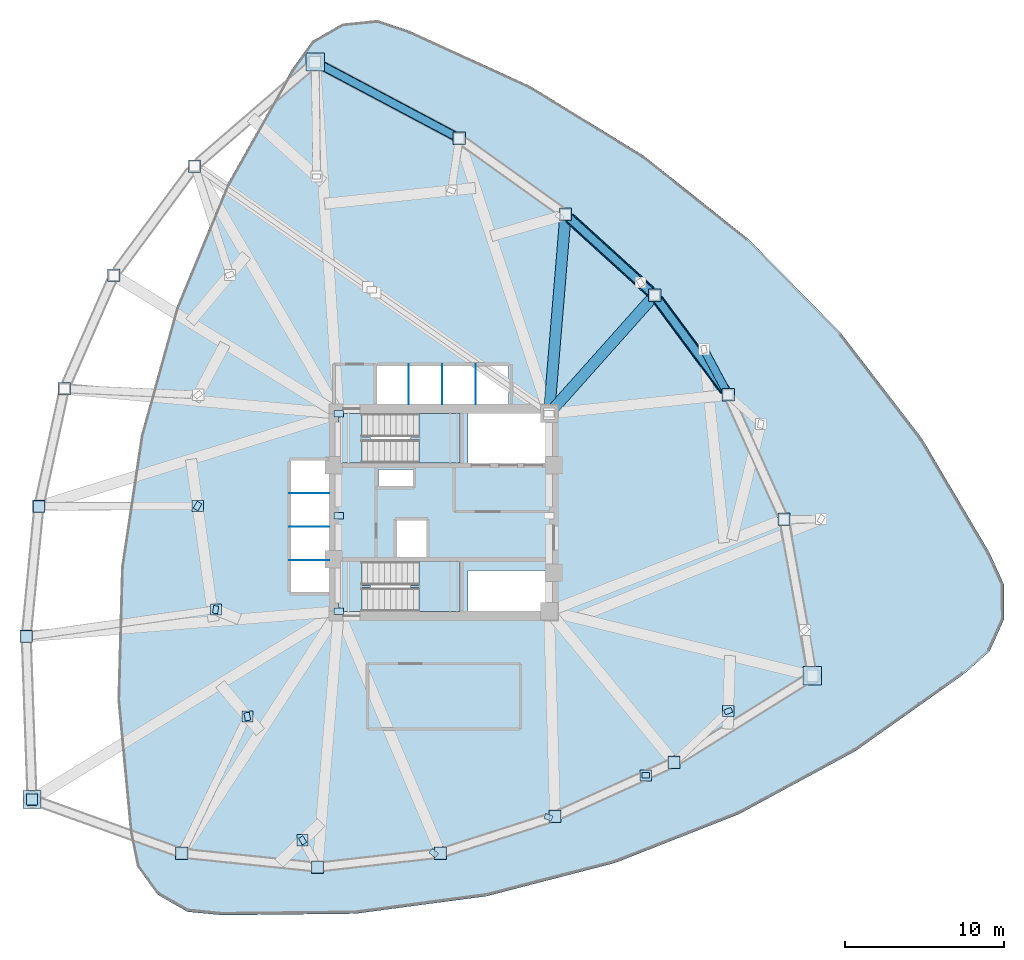
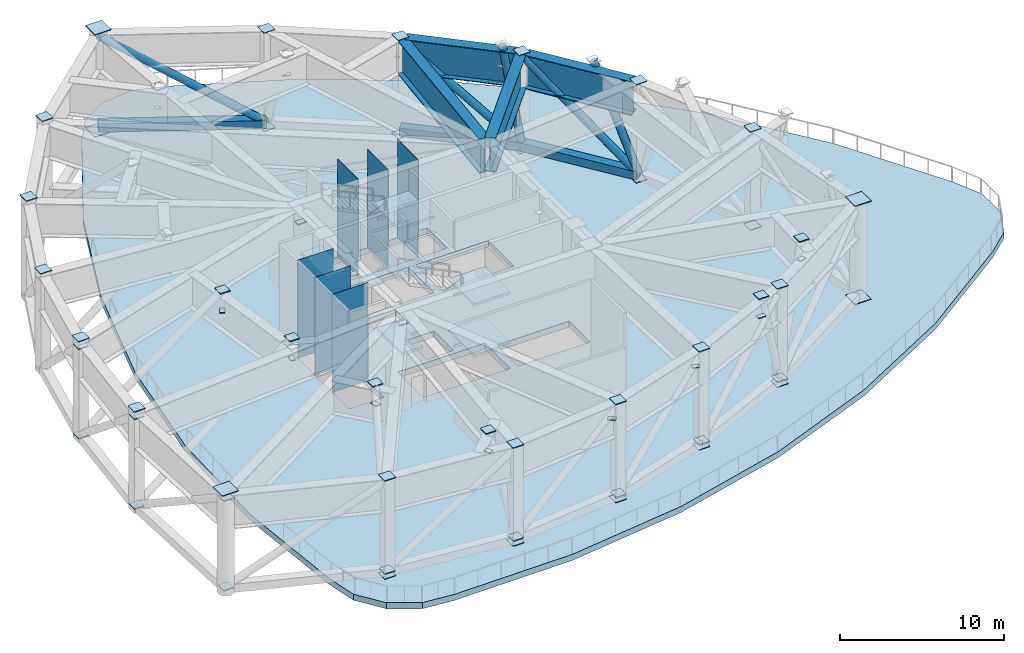
# One storey, part 3 of 8: 64 plates, 8 members, 7 slabs, 4 beams, 2 elements without a shape of their own.
"""IFC4 building model written with IfcOpenShell, lengths in metres."""

from ifc_helpers import new_model, si_unit, direction, frame, origin, origin_2d, place, context, subcontext, project, spatial, polyline, rectangle, hollow_rectangle, hollow_circle, i_section, outline, extrude, source, transform, mapped, material, layer, layer_set, material_profile, profile_set, type_object, type_shapes, element, aggregate, save


model = new_model("IFC4")

# Units and contexts
model_context = context("Model", 3, precision=1e-05, world=origin(), true_north=direction((0.0, 1.0)))
body_context = subcontext(model_context, "Body", "Model", "MODEL_VIEW")
ifc_project = project(units=[si_unit("LENGTHUNIT", "METRE"), si_unit("AREAUNIT", "SQUARE_METRE"), si_unit("VOLUMEUNIT", "CUBIC_METRE"), si_unit("PLANEANGLEUNIT", "RADIAN"), si_unit("MASSUNIT", "GRAM", prefix="KILO")], contexts=[model_context])

# Site, building, storey
site_placement = place(None, origin())
site = spatial("IfcSite", under=ifc_project, at=site_placement, CompositionType="ELEMENT")
building_placement = place(site_placement, origin())
building = spatial("IfcBuilding", under=site, at=building_placement, Name="Tavelor Broadcast Tower", CompositionType="ELEMENT")
storey_placement = place(building_placement, frame((0.0, 0.0, 102.800048828125)))
storey = spatial("IfcBuildingStorey", under=building, at=storey_placement, Name="L24", CompositionType="ELEMENT", Elevation=102.800048828125)

# Beams
ifc_material_1 = material(Name="Steel S460", Category="steel")
ifc_material_profile_1 = material_profile(ifc_material_1, i_section(OverallWidth=0.699951171875, OverallDepth=2.5, WebThickness=0.031982421875, FlangeThickness=0.052001953125, at=origin_2d()), Name="PG 2500x700")
ifc_profile_set_1 = profile_set([ifc_material_profile_1], Name="Steel S460")
beam_type = type_object("IfcBeamType", Name="Opposite Slide Transfer Girder HEB900", PredefinedType="BEAM", material=ifc_profile_set_1)
beam_1_placement = place(storey_placement, frame((67.640869140625, 52.652587890625, 6.050048828125), z_axis=(-0.594676591659, 0.803965018724, 0.0), x_axis=(-0.803965018724, -0.594676591659, 0.0)))
element("IfcBeam", 1, at=beam_1_placement, inside=storey, type_object=beam_type, Name="L24 Framed-Tube Ring Spandrel 15", PredefinedType="BEAM", context=body_context, shape_type="SweptSolid", body=[
    extrude(i_section(OverallWidth=0.699951171875, OverallDepth=2.5, WebThickness=0.031982421875, FlangeThickness=0.052001953125, at=origin_2d()), origin(), (0.0, 0.0, 1.0), 7.09130859375),
])
beam_2_placement = place(storey_placement, frame((62.975341796875, 58.849609375, 6.050048828125), z_axis=(-0.740416987409, 0.672147814663, 0.0), x_axis=(-0.672147814663, -0.740416987409, 0.0)))
element("IfcBeam", 2, at=beam_2_placement, inside=storey, type_object=beam_type, Name="L24 Framed-Tube Ring Spandrel 16", PredefinedType="BEAM", context=body_context, shape_type="SweptSolid", body=[
    extrude(i_section(OverallWidth=0.699951171875, OverallDepth=2.5, WebThickness=0.031982421875, FlangeThickness=0.052001953125, at=origin_2d()), origin(), (0.0, 0.0, 1.0), 6.876953125),
])
beam_3_placement = place(storey_placement, frame((56.951416015625, 51.593994140625, 6.050048828125), z_axis=(0.665778646807, 0.74614931043, 0.0), x_axis=(-0.74614931043, 0.665778646807, 0.0)))
element("IfcBeam", 3, at=beam_3_placement, inside=storey, type_object=beam_type, Name="L24 Radial Primary Floor Girder 16", PredefinedType="BEAM", context=body_context, shape_type="SweptSolid", body=[
    extrude(i_section(OverallWidth=0.699951171875, OverallDepth=2.5, WebThickness=0.031982421875, FlangeThickness=0.052001953125, at=origin_2d()), origin(), (0.0, 0.0, 1.0), 9.085693359375),
])
beam_4_placement = place(storey_placement, frame((56.6435546875, 51.726318359375, 6.050048828125), z_axis=(0.082528077466, 0.996588739867, 0.0), x_axis=(-0.996588739867, 0.082528077466, 0.0)))
element("IfcBeam", 4, at=beam_4_placement, inside=storey, type_object=beam_type, Name="L24 Radial Primary Floor Girder 17", PredefinedType="BEAM", context=body_context, shape_type="SweptSolid", body=[
    extrude(i_section(OverallWidth=0.699951171875, OverallDepth=2.5, WebThickness=0.031982421875, FlangeThickness=0.052001953125, at=origin_2d()), origin(), (0.0, 0.0, 1.0), 11.67626953125),
])

# Members
ifc_material_profile_2 = material_profile(ifc_material_1, hollow_rectangle(XDim=0.60009765625, YDim=0.60009765625, WallThickness=0.035888671875, at=origin_2d()), Name="SHS 600x600x36")
ifc_profile_set_2 = profile_set([ifc_material_profile_2], Name="Steel S460")
member_type_1 = type_object("IfcMemberType", Name="Wind Floor Belt Truss Chord Member SHS600", PredefinedType="CHORD", material=ifc_profile_set_2)
member_1_placement = place(storey_placement, frame((67.8408203125, 52.382568359375, 0.349853515625), z_axis=(-0.594693433306, 0.803952561028, 0.0), x_axis=(-0.803952561028, -0.594693433306, 0.0)))
element("IfcMember", 5, at=member_1_placement, inside=storey, type_object=member_type_1, Name="L24 Belt Truss Lower Chord Member 15", PredefinedType="CHORD", context=body_context, shape_type="SweptSolid", body=[
    extrude(hollow_rectangle(XDim=0.60009765625, YDim=0.60009765625, WallThickness=0.035888671875, at=origin_2d()), origin(), (0.0, 0.0, 1.0), 7.76318359375),
])
member_2_placement = place(storey_placement, frame((63.22412109375, 58.623779296875, 0.349853515625), z_axis=(-0.740418418196, 0.67214623855, 0.0), x_axis=(-0.67214623855, -0.740418418196, 0.0)))
element("IfcMember", 6, at=member_2_placement, inside=storey, type_object=member_type_1, Name="L24 Belt Truss Lower Chord Member 16", PredefinedType="CHORD", context=body_context, shape_type="SweptSolid", body=[
    extrude(hollow_rectangle(XDim=0.60009765625, YDim=0.60009765625, WallThickness=0.035888671875, at=origin_2d()), origin(), (0.0, 0.0, 1.0), 7.548828125),
])
member_3_placement = place(storey_placement, frame((50.9619140625, 68.468505859375, 0.349853515625), z_axis=(-0.883278453716, 0.468848774341, 0.0), x_axis=(-0.468848774341, -0.883278453716, 0.0)))
element("IfcMember", 7, at=member_3_placement, inside=storey, type_object=member_type_1, Name="L24 Belt Truss Lower Chord Member 18", PredefinedType="CHORD", context=body_context, shape_type="SweptSolid", body=[
    extrude(hollow_rectangle(XDim=0.60009765625, YDim=0.60009765625, WallThickness=0.035888671875, at=origin_2d()), origin(), (0.0, 0.0, 1.0), 10.233154296875),
])
ifc_material_profile_3 = material_profile(ifc_material_1, hollow_circle(Radius=0.25390625, WallThickness=0.02490234375, at=origin_2d()), Name="CHS 508x25")
ifc_profile_set_3 = profile_set([ifc_material_profile_3], Name="Steel S460")
member_type_2 = type_object("IfcMemberType", Name="Wind Floor Belt Truss Diagonal CHS508", PredefinedType="BRACE", material=ifc_profile_set_3)
member_4_placement = place(storey_placement, frame((67.8408203125, 52.382568359375, 0.349853515625), z_axis=(-0.451639569274, 0.610561287621, 0.65056637903), x_axis=(-0.803952561028, -0.594693433306, 0.0)))
element("IfcMember", 8, at=member_4_placement, inside=storey, type_object=member_type_2, Name="L24 Belt Truss Web Diagonal 15", PredefinedType="BRACE", context=body_context, shape_type="SweptSolid", body=[
    extrude(hollow_circle(Radius=0.25390625, WallThickness=0.02490234375, at=origin_2d()), origin(), (0.0, 0.0, 1.0), 10.22216796875),
])
member_5_placement = place(storey_placement, frame((63.22412109375, 58.623779296875, 0.349853515625), z_axis=(-0.555582828076, 0.504353888176, 0.66102562479), x_axis=(-0.67214623855, -0.740418418196, 0.0)))
element("IfcMember", 9, at=member_5_placement, inside=storey, type_object=member_type_2, Name="L24 Belt Truss Web Diagonal 16", PredefinedType="BRACE", context=body_context, shape_type="SweptSolid", body=[
    extrude(hollow_circle(Radius=0.25390625, WallThickness=0.02490234375, at=origin_2d()), origin(), (0.0, 0.0, 1.0), 10.060302734375),
])
member_6_placement = place(storey_placement, frame((50.9619140625, 68.468505859375, 0.349853515625), z_axis=(-0.740627881744, 0.393129112499, 0.544903515945), x_axis=(-0.468848774341, -0.883278453716, 0.0)))
element("IfcMember", 10, at=member_6_placement, inside=storey, type_object=member_type_2, Name="L24 Belt Truss Web Diagonal 18", PredefinedType="BRACE", context=body_context, shape_type="SweptSolid", body=[
    extrude(hollow_circle(Radius=0.25390625, WallThickness=0.02490234375, at=origin_2d()), origin(), (0.0, 0.0, 1.0), 12.204345703125),
])
member_7_placement = place(storey_placement, frame((67.8408203125, 52.382568359375, 0.349853515625), z_axis=(-0.191396157991, 0.35867166209, 0.913631298457), x_axis=(-0.882246079881, -0.470788545457, 0.0)))
element("IfcMember", 11, at=member_7_placement, inside=storey, type_object=member_type_2, Name="L24 Slide Transfer Raking Strut 15", PredefinedType="BRACE", context=body_context, shape_type="SweptSolid", body=[
    extrude(hollow_circle(Radius=0.25390625, WallThickness=0.02490234375, at=origin_2d()), origin(), (0.0, 0.0, 1.0), 7.935302734375),
])
member_8_placement = place(storey_placement, frame((63.22412109375, 58.623779296875, 0.349853515625), z_axis=(-0.12157708159, 0.107854388314, 0.986704841456), x_axis=(-0.66362751577, -0.74806317936, 0.0)))
element("IfcMember", 12, at=member_8_placement, inside=storey, type_object=member_type_2, Name="L24 Slide Transfer Raking Strut 16", PredefinedType="BRACE", context=body_context, shape_type="SweptSolid", body=[
    extrude(hollow_circle(Radius=0.25390625, WallThickness=0.02490234375, at=origin_2d()), origin(), (0.0, 0.0, 1.0), 7.34765625),
])

# Stair, slabs
ifc_material_2 = material(Name="Concrete C40/50", Category="concrete")
stair_type = type_object("IfcStairType", Name="Reinforced Concrete Protected Dogleg Stair 1450 mm", PredefinedType="HALF_TURN_STAIR", material=ifc_material_2)
stair_1_placement = place(storey_placement, origin())
stair_1 = element("IfcStair", 13, at=stair_1_placement, inside=storey, type_object=stair_type, Name="L24 Protected Core Exit Stair ST1", PredefinedType="HALF_TURN_STAIR")
ifc_layer_1 = layer(ifc_material_2, 0.199951171875)
ifc_layer_set_1 = layer_set([ifc_layer_1], Name="Concrete C40/50")
slab_type_1 = type_object("IfcSlabType", Name="Reinforced Concrete Stair Half-Landing Slab 200 mm", PredefinedType="LANDING", material=ifc_layer_set_1)
slab_1_placement = place(storey_placement, frame((0.0, 0.0, 1.699951171875)))
slab_1 = element("IfcSlab", 14, at=slab_1_placement, type_object=slab_type_1, Name="ST1 landing 1", PredefinedType="LANDING", context=body_context, shape_type="SweptSolid", body=[
    extrude(outline(polyline([(48.445068359375, 49.590087890625), (48.445068359375, 48.094970703125), (51.0048828125, 48.094970703125), (51.0048828125, 51.205078125), (48.445068359375, 51.205078125), (48.445068359375, 49.7099609375), (47.905029296875, 49.7099609375), (47.905029296875, 49.590087890625), (48.445068359375, 49.590087890625)])), origin(), (0.0, 0.0, 1.0), 0.199951171875),
])
slab_2_placement = place(storey_placement, frame((0.0, 0.0, 3.599853515625)))
slab_2 = element("IfcSlab", 15, at=slab_2_placement, type_object=slab_type_1, Name="ST1 landing 2", PredefinedType="LANDING", context=body_context, shape_type="SweptSolid", body=[
    extrude(outline(polyline([(43.39501953125, 48.094970703125), (44.85498046875, 48.094970703125), (44.85498046875, 49.590087890625), (45.39501953125, 49.590087890625), (45.39501953125, 49.7099609375), (44.85498046875, 49.7099609375), (44.85498046875, 51.205078125), (43.39501953125, 51.205078125), (43.39501953125, 48.094970703125)])), origin(), (0.0, 0.0, 1.0), 0.2001953125),
])
slab_3_placement = place(storey_placement, frame((0.0, 0.0, 5.5)))
slab_3 = element("IfcSlab", 16, at=slab_3_placement, type_object=slab_type_1, Name="ST1 landing 3", PredefinedType="LANDING", context=body_context, shape_type="SweptSolid", body=[
    extrude(outline(polyline([(48.445068359375, 49.590087890625), (48.445068359375, 48.094970703125), (51.0048828125, 48.094970703125), (51.0048828125, 51.205078125), (48.445068359375, 51.205078125), (48.445068359375, 49.7099609375), (47.905029296875, 49.7099609375), (47.905029296875, 49.590087890625), (48.445068359375, 49.590087890625)])), origin(), (0.0, 0.0, 1.0), 0.199951171875),
])
aggregate(stair_1, [slab_1, slab_2, slab_3])

stair_2_placement = place(storey_placement, origin())
stair_2 = element("IfcStair", 17, at=stair_2_placement, inside=storey, type_object=stair_type, Name="L24 Protected Core Exit Stair ST2", PredefinedType="HALF_TURN_STAIR")
slab_4_placement = place(storey_placement, frame((0.0, 0.0, 1.699951171875)))
slab_4 = element("IfcSlab", 18, at=slab_4_placement, type_object=slab_type_1, Name="ST2 landing 1", PredefinedType="LANDING", context=body_context, shape_type="SweptSolid", body=[
    extrude(outline(polyline([(48.445068359375, 40.2900390625), (48.445068359375, 38.794921875), (51.0048828125, 38.794921875), (51.0048828125, 41.905029296875), (48.445068359375, 41.905029296875), (48.445068359375, 40.409912109375), (47.905029296875, 40.409912109375), (47.905029296875, 40.2900390625), (48.445068359375, 40.2900390625)])), origin(), (0.0, 0.0, 1.0), 0.199951171875),
])
slab_5_placement = place(storey_placement, frame((0.0, 0.0, 3.599853515625)))
slab_5 = element("IfcSlab", 19, at=slab_5_placement, type_object=slab_type_1, Name="ST2 landing 2", PredefinedType="LANDING", context=body_context, shape_type="SweptSolid", body=[
    extrude(outline(polyline([(43.39501953125, 38.794921875), (44.85498046875, 38.794921875), (44.85498046875, 40.2900390625), (45.39501953125, 40.2900390625), (45.39501953125, 40.409912109375), (44.85498046875, 40.409912109375), (44.85498046875, 41.905029296875), (43.39501953125, 41.905029296875), (43.39501953125, 38.794921875)])), origin(), (0.0, 0.0, 1.0), 0.2001953125),
])
slab_6_placement = place(storey_placement, frame((0.0, 0.0, 5.5)))
slab_6 = element("IfcSlab", 20, at=slab_6_placement, type_object=slab_type_1, Name="ST2 landing 3", PredefinedType="LANDING", context=body_context, shape_type="SweptSolid", body=[
    extrude(outline(polyline([(48.445068359375, 40.2900390625), (48.445068359375, 38.794921875), (51.0048828125, 38.794921875), (51.0048828125, 41.905029296875), (48.445068359375, 41.905029296875), (48.445068359375, 40.409912109375), (47.905029296875, 40.409912109375), (47.905029296875, 40.2900390625), (48.445068359375, 40.2900390625)])), origin(), (0.0, 0.0, 1.0), 0.199951171875),
])
aggregate(stair_2, [slab_4, slab_5, slab_6])

# Slab
ifc_layer_2 = layer(ifc_material_2, 0.449951171875)
ifc_layer_set_2 = layer_set([ifc_layer_2], Name="Concrete C40/50")
slab_type_2 = type_object("IfcSlabType", Name="Wind Floor Exterior Structural Deck 450 mm", PredefinedType="FLOOR", material=ifc_layer_set_2)
slab_7_placement = place(storey_placement, frame((0.0, 0.0, -0.449951171875)))
element("IfcSlab", 21, at=slab_7_placement, inside=storey, type_object=slab_type_2, Name="L24 Open Wind Deck Slab", PredefinedType="FLOOR", context=body_context, shape_type="SweptSolid", body=[
    extrude(outline(polyline([(47.88623046875, 75.205078125), (45.810302734375, 75.897705078125), (43.63330078125, 75.674560546875), (41.74072265625, 74.575439453125), (40.468505859375, 72.794921875), (36.382080078125, 65.535888671875), (33.204345703125, 57.835693359375), (30.981689453125, 49.8076171875), (29.746826171875, 41.569580078125), (29.51806640625, 33.24267578125), (30.298583984375, 24.94921875), (30.73681640625, 22.80517578125), (32.018310546875, 21.03125), (33.91650390625, 19.94189453125), (36.0947265625, 19.730224609375), (44.42431640625, 19.82080078125), (52.681884765625, 20.9189453125), (60.74560546875, 23.008056640625), (68.497314453125, 26.0576171875), (75.822998046875, 30.02294921875), (82.615234375, 34.845703125), (84.2529296875, 36.297119140625), (85.1484375, 38.294189453125), (85.142578125, 40.482666015625), (84.23681640625, 42.474853515625), (79.993408203125, 49.643310546875), (74.913818359375, 56.245361328125), (69.07275390625, 62.18408203125), (62.555908203125, 67.37255859375), (55.458984375, 71.734375), (47.88623046875, 75.205078125)]), holes=[polyline([(56.60009765625, 38.800048828125), (51.52001953125, 38.800048828125), (51.52001953125, 41.35009765625), (56.60009765625, 41.35009765625), (56.60009765625, 38.800048828125)]), polyline([(50.99609375, 38.803955078125), (44.85400390625, 38.803955078125), (44.85400390625, 41.89599609375), (50.99609375, 41.89599609375), (50.99609375, 38.803955078125)]), polyline([(47.050048828125, 42.199951171875), (47.050048828125, 44.550048828125), (48.949951171875, 44.550048828125), (48.949951171875, 42.199951171875), (47.050048828125, 42.199951171875)]), polyline([(40.35009765625, 40.0), (40.35009765625, 48.25), (42.800048828125, 48.25), (42.800048828125, 40.0), (40.35009765625, 40.0)]), polyline([(48.050048828125, 46.64990234375), (45.89990234375, 46.64990234375), (45.89990234375, 47.699951171875), (48.050048828125, 47.699951171875), (48.050048828125, 46.64990234375)]), polyline([(50.99609375, 48.10400390625), (44.85400390625, 48.10400390625), (44.85400390625, 51.196044921875), (50.99609375, 51.196044921875), (50.99609375, 48.10400390625)]), polyline([(56.60009765625, 48.10009765625), (51.52001953125, 48.10009765625), (51.52001953125, 51.199951171875), (56.60009765625, 51.199951171875), (56.60009765625, 48.10009765625)]), polyline([(54.050048828125, 51.800048828125), (45.800048828125, 51.800048828125), (45.800048828125, 54.25), (54.050048828125, 54.25), (54.050048828125, 51.800048828125)])]), origin(), (0.0, 0.0, 1.0), 0.449951171875),
])

# Plates
ifc_layer_3 = layer(ifc_material_1, 0.050048828125)
ifc_layer_set_3 = layer_set([ifc_layer_3], Name="Steel S460")
plate_type_1 = type_object("IfcPlateType", Name="Tube Hollow-End Cap Plate KN05 700x700x50", PredefinedType="USERDEFINED", material=ifc_layer_set_3)
shared_shape_1 = source(origin(), body_context, "Body", "SweptSolid", [
    extrude(rectangle(XDim=0.699951171875, YDim=0.699951171875, at=origin_2d()), origin(), (0.0, 0.0, 1.0), 0.074951171875),
])
for number, where, z_axis, x_axis, name in (
    (22, (24.586669921875, 45.365966796875, 0.3125), (0.0, 0.0, 1.0), (1.0, 0.0, 0.0), "L24 Hollow End Cap Plate KN05 #711"),
    (23, (24.58740234375, 45.36962890625, 6.97216796875), (0.0, 0.0, 1.0), (1.0, 0.0, 0.0), "L24 Hollow End Cap Plate KN05 #712"),
    (24, (23.793212890625, 37.201416015625, 0.3125), (0.0, 0.0, 1.0), (1.0, 0.0, 0.0), "L24 Hollow End Cap Plate KN05 #713"),
    (25, (23.793701171875, 37.204833984375, 6.9716796875), (0.0, 0.0, 1.0), (1.0, 0.0, 0.0), "L24 Hollow End Cap Plate KN05 #714"),
    (26, (24.15966796875, 26.974609375, 0.3125), (0.0, 0.0, 1.0), (1.0, 0.0, 0.0), "L24 Hollow End Cap Plate KN05 #715"),
    (27, (24.159423828125, 26.97705078125, 6.970703125), (0.0, 0.0, 1.0), (1.0, 0.0, 0.0), "L24 Hollow End Cap Plate KN05 #716"),
    (28, (33.56494140625, 23.6103515625, 0.3125), (0.0, 0.0, 1.0), (1.0, 0.0, 0.0), "L24 Hollow End Cap Plate KN05 #717"),
    (29, (42.088134765625, 22.739013671875, 0.3125), (0.0, 0.0, 1.0), (1.0, 0.0, 0.0), "L24 Hollow End Cap Plate KN05 #718"),
    (30, (49.801513671875, 23.61962890625, 0.3125), (0.0, 0.0, 1.0), (1.0, 0.0, 0.0), "L24 Hollow End Cap Plate KN05 #719"),
    (31, (56.98974609375, 25.926025390625, 0.3125), (0.0, 0.0, 1.0), (1.0, 0.0, 0.0), "L24 Hollow End Cap Plate KN05 #720"),
    (32, (64.457275390625, 29.3212890625, 0.3125), (0.0, 0.0, 1.0), (1.0, 0.0, 0.0), "L24 Hollow End Cap Plate KN05 #721"),
    (33, (34.55859375, 45.399169921875, 7.5712890625), (0.0, 0.0, 1.0), (1.0, 0.0, 0.0), "L24 Hollow End Cap Plate KN05 #732"),
    (34, (35.693603515625, 38.901611328125, 7.5703125), (0.0, 0.0, 1.0), (1.0, 0.0, 0.0), "L24 Hollow End Cap Plate KN05 #733"),
    (35, (37.67333984375, 32.201171875, 7.57177734375), (0.0, 0.0, 1.0), (1.0, 0.0, 0.0), "L24 Hollow End Cap Plate KN05 #734"),
    (36, (41.13671875, 24.42724609375, 7.5771484375), (0.0, 0.0, 1.0), (1.0, 0.0, 0.0), "L24 Hollow End Cap Plate KN05 #735"),
    (37, (62.665771484375, 28.501708984375, 7.5771484375), (0.0, 0.0, 1.0), (1.0, 0.0, 0.0), "L24 Hollow End Cap Plate KN05 #736"),
    (38, (67.84814453125, 32.537353515625, 7.5751953125), (0.0, 0.0, 1.0), (1.0, 0.0, 0.0), "L24 Hollow End Cap Plate KN05 #737"),
):
    element("IfcPlate", number, at=place(storey_placement, frame(where, z_axis=z_axis, x_axis=x_axis)), inside=storey, type_object=plate_type_1, Name=name, ObjectType="CAP PLATE", PredefinedType="USERDEFINED", context=body_context, shape_type="MappedRepresentation", body=[
        mapped(shared_shape_1, transform((0.0, 0.0, 0.0), scale=1.0)),
    ])
shared_shape_2 = source(origin(), body_context, "Body", "SweptSolid", [
    extrude(rectangle(XDim=1.14697265625, YDim=1.14697265625, at=origin_2d()), origin(), (0.0, 0.0, 1.0), 0.054931640625),
])
for number, where, z_axis, x_axis, name in (
    (39, (41.923095703125, 73.266357421875, -0.02734375), (0.0, 0.0, 1.0), (1.0, 0.0, 0.0), "L24 Hollow End Cap Plate KN05 #670"),
    (40, (41.923095703125, 73.266357421875, 7.572265625), (0.0, 0.0, 1.0), (1.0, 0.0, 0.0), "L24 Hollow End Cap Plate KN05 #671"),
    (41, (24.1591796875, 26.98974609375, 7.572265625), (0.0, 0.0, 1.0), (1.0, 0.0, 0.0), "L24 Hollow End Cap Plate KN05 #677"),
    (42, (73.117919921875, 34.743896484375, -0.02734375), (0.0, 0.0, 1.0), (1.0, 0.0, 0.0), "L24 Hollow End Cap Plate KN05 #688"),
    (43, (73.117919921875, 34.743896484375, 7.2724609375), (0.0, 0.0, 1.0), (1.0, 0.0, 0.0), "L24 Hollow End Cap Plate KN05 #689"),
):
    element("IfcPlate", number, at=place(storey_placement, frame(where, z_axis=z_axis, x_axis=x_axis)), inside=storey, type_object=plate_type_1, Name=name, ObjectType="CAP PLATE", PredefinedType="USERDEFINED", context=body_context, shape_type="MappedRepresentation", body=[
        mapped(shared_shape_2, transform((0.0, 0.0, 0.0), scale=1.0)),
    ])
shared_shape_3 = source(origin(), body_context, "Body", "SweptSolid", [
    extrude(rectangle(XDim=0.780029296875, YDim=0.780029296875, at=origin_2d()), origin(), (0.0, 0.0, 1.0), 0.054931640625),
])
type_shapes(plate_type_1, [shared_shape_1, shared_shape_2, shared_shape_3])
for number, where, z_axis, x_axis, name in (
    (44, (34.356201171875, 66.727783203125, 7.572265625), (0.0, 0.0, 1.0), (1.0, 0.0, 0.0), "L24 Hollow End Cap Plate KN05 #672"),
    (45, (29.292236328125, 59.87158203125, 7.572265625), (0.0, 0.0, 1.0), (1.0, 0.0, 0.0), "L24 Hollow End Cap Plate KN05 #673"),
    (46, (26.189208984375, 52.75830078125, 7.572265625), (0.0, 0.0, 1.0), (1.0, 0.0, 0.0), "L24 Hollow End Cap Plate KN05 #674"),
    (47, (24.58984375, 45.380615234375, 7.572265625), (0.0, 0.0, 1.0), (1.0, 0.0, 0.0), "L24 Hollow End Cap Plate KN05 #675"),
    (48, (23.794677734375, 37.21630859375, 7.572265625), (0.0, 0.0, 1.0), (1.0, 0.0, 0.0), "L24 Hollow End Cap Plate KN05 #676"),
    (49, (33.55078125, 23.615478515625, -0.02734375), (0.0, 0.0, 1.0), (1.0, 0.0, 0.0), "L24 Hollow End Cap Plate KN05 #678"),
    (50, (33.55078125, 23.615478515625, 7.2724609375), (0.0, 0.0, 1.0), (1.0, 0.0, 0.0), "L24 Hollow End Cap Plate KN05 #679"),
    (51, (42.0732421875, 22.740478515625, -0.02734375), (0.0, 0.0, 1.0), (1.0, 0.0, 0.0), "L24 Hollow End Cap Plate KN05 #680"),
    (52, (42.0732421875, 22.740478515625, 7.2724609375), (0.0, 0.0, 1.0), (1.0, 0.0, 0.0), "L24 Hollow End Cap Plate KN05 #681"),
    (53, (49.78662109375, 23.617919921875, -0.02734375), (0.0, 0.0, 1.0), (1.0, 0.0, 0.0), "L24 Hollow End Cap Plate KN05 #682"),
    (54, (49.78662109375, 23.617919921875, 7.2724609375), (0.0, 0.0, 1.0), (1.0, 0.0, 0.0), "L24 Hollow End Cap Plate KN05 #683"),
    (55, (56.975341796875, 25.92138671875, -0.02734375), (0.0, 0.0, 1.0), (1.0, 0.0, 0.0), "L24 Hollow End Cap Plate KN05 #684"),
    (56, (56.975341796875, 25.92138671875, 7.2724609375), (0.0, 0.0, 1.0), (1.0, 0.0, 0.0), "L24 Hollow End Cap Plate KN05 #685"),
    (57, (64.443603515625, 29.31494140625, -0.02734375), (0.0, 0.0, 1.0), (1.0, 0.0, 0.0), "L24 Hollow End Cap Plate KN05 #686"),
    (58, (64.443603515625, 29.31494140625, 7.2724609375), (0.0, 0.0, 1.0), (1.0, 0.0, 0.0), "L24 Hollow End Cap Plate KN05 #687"),
    (59, (71.343994140625, 44.564697265625, -0.02734375), (0.0, 0.0, 1.0), (1.0, 0.0, 0.0), "L24 Hollow End Cap Plate KN05 #690"),
    (60, (71.343994140625, 44.564697265625, 7.2724609375), (0.0, 0.0, 1.0), (1.0, 0.0, 0.0), "L24 Hollow End Cap Plate KN05 #691"),
    (61, (67.8408203125, 52.382568359375, -0.02734375), (0.0, 0.0, 1.0), (1.0, 0.0, 0.0), "L24 Hollow End Cap Plate KN05 #692"),
    (62, (67.8408203125, 52.382568359375, 7.2724609375), (0.0, 0.0, 1.0), (1.0, 0.0, 0.0), "L24 Hollow End Cap Plate KN05 #693"),
    (63, (63.22412109375, 58.623779296875, -0.02734375), (0.0, 0.0, 1.0), (1.0, 0.0, 0.0), "L24 Hollow End Cap Plate KN05 #694"),
    (64, (63.22412109375, 58.623779296875, 7.2724609375), (0.0, 0.0, 1.0), (1.0, 0.0, 0.0), "L24 Hollow End Cap Plate KN05 #695"),
    (65, (57.634765625, 63.69775390625, -0.02734375), (0.0, 0.0, 1.0), (1.0, 0.0, 0.0), "L24 Hollow End Cap Plate KN05 #696"),
    (66, (57.634765625, 63.69775390625, 7.2724609375), (0.0, 0.0, 1.0), (1.0, 0.0, 0.0), "L24 Hollow End Cap Plate KN05 #697"),
    (67, (50.9619140625, 68.468505859375, -0.02734375), (0.0, 0.0, 1.0), (1.0, 0.0, 0.0), "L24 Hollow End Cap Plate KN05 #698"),
    (68, (50.9619140625, 68.468505859375, 7.2724609375), (0.0, 0.0, 1.0), (1.0, 0.0, 0.0), "L24 Hollow End Cap Plate KN05 #699"),
):
    element("IfcPlate", number, at=place(storey_placement, frame(where, z_axis=z_axis, x_axis=x_axis)), inside=storey, type_object=plate_type_1, Name=name, ObjectType="CAP PLATE", PredefinedType="USERDEFINED", context=body_context, shape_type="MappedRepresentation", body=[
        mapped(shared_shape_3, transform((0.0, 0.0, 0.0), scale=1.0)),
    ])
ifc_layer_4 = layer(ifc_material_1, 0.050048828125)
ifc_layer_set_4 = layer_set([ifc_layer_4], Name="Steel S460")
plate_type_2 = type_object("IfcPlateType", Name="Outrigger Node Gusset Plate KN03 600x400x50", PredefinedType="USERDEFINED", material=ifc_layer_set_4)
shared_shape_4 = source(origin(), body_context, "Body", "SweptSolid", [
    extrude(rectangle(XDim=0.60009765625, YDim=0.39990234375, at=origin_2d()), origin(), (0.0, 0.0, 1.0), 0.050048828125),
])
type_shapes(plate_type_2, [shared_shape_4])
for number, where, z_axis, x_axis, name in (
    (69, (43.39990234375, 44.800048828125, 6.02490234375), (0.0, 0.0, 1.0), (1.0, 0.0, 0.0), "L24 Outrigger Core Node Assembly KN03 #3"),
    (70, (43.39990234375, 51.199951171875, 6.02490234375), (0.0, 0.0, 1.0), (1.0, 0.0, 0.0), "L24 Outrigger Core Node Assembly KN03 #4"),
    (71, (43.39990234375, 38.800048828125, 6.02490234375), (0.0, 0.0, 1.0), (1.0, 0.0, 0.0), "L24 Outrigger Core Node Assembly KN03 #5"),
):
    element("IfcPlate", number, at=place(storey_placement, frame(where, z_axis=z_axis, x_axis=x_axis)), inside=storey, type_object=plate_type_2, Name=name, ObjectType="GUSSET PLATE", PredefinedType="USERDEFINED", context=body_context, shape_type="MappedRepresentation", body=[
        mapped(shared_shape_4, transform((0.0, 0.0, 0.0), scale=1.0)),
    ])
ifc_layer_5 = layer(ifc_material_1, 0.0400390625)
ifc_layer_set_5 = layer_set([ifc_layer_5], Name="Steel S460")
plate_type_3 = type_object("IfcPlateType", Name="Belt Node Gusset Plate KN04 480x320x40", PredefinedType="USERDEFINED", material=ifc_layer_set_5)
shared_shape_5 = source(origin(), body_context, "Body", "SweptSolid", [
    extrude(rectangle(XDim=0.47998046875, YDim=0.320068359375, at=origin_2d()), origin(), (0.0, 0.0, 1.0), 0.0400390625),
])
type_shapes(plate_type_3, [shared_shape_5])
for number, where, z_axis, x_axis, name in (
    (72, (35.680908203125, 38.89990234375, 6.030029296875), (0.0, 0.0, 1.0), (0.173648177667, 0.984807753012, 0.0), "L24 Belt Slide Node Assembly KN04 #05"),
    (73, (41.138671875, 24.423828125, 6.030029296875), (0.0, 0.0, 1.0), (-0.5, 0.866025403784, 0.0), "L24 Belt Slide Node Assembly KN04 #07"),
    (74, (56.56103515625, 25.872802734375, 6.030029296875), (0.0, 0.0, 1.0), (-0.939692620786, 0.342020143326, 0.0), "L24 Belt Slide Node Assembly KN04 #09"),
    (75, (67.84228515625, 32.53173828125, 6.030029296875), (0.0, 0.0, 1.0), (-0.939692620786, -0.342020143326, 0.0), "L24 Belt Slide Node Assembly KN04 #11"),
):
    element("IfcPlate", number, at=place(storey_placement, frame(where, z_axis=z_axis, x_axis=x_axis)), inside=storey, type_object=plate_type_3, Name=name, ObjectType="GUSSET PLATE", PredefinedType="USERDEFINED", context=body_context, shape_type="MappedRepresentation", body=[
        mapped(shared_shape_5, transform((0.0, 0.0, 0.0), scale=1.0)),
    ])
ifc_layer_6 = layer(ifc_material_1, 0.044921875)
ifc_layer_set_6 = layer_set([ifc_layer_6], Name="Steel S460")
plate_type_4 = type_object("IfcPlateType", Name="Slide Node Cap Plate KN06 500x340x45", PredefinedType="USERDEFINED", material=ifc_layer_set_6)
shared_shape_6 = source(origin(), body_context, "Body", "SweptSolid", [
    extrude(rectangle(XDim=0.5, YDim=0.340087890625, at=origin_2d()), origin(), (0.0, 0.0, 1.0), 0.044921875),
])
type_shapes(plate_type_4, [shared_shape_6])
for number, where, z_axis, x_axis, name in (
    (76, (34.54638671875, 45.399169921875, 6.027587890625), (0.0, 0.0, 1.0), (0.5, 0.866025403784, 0.0), "L24 Belt Slide Node Assembly KN06 #04"),
    (77, (37.668212890625, 32.1904296875, 6.027587890625), (0.0, 0.0, 1.0), (-0.173648177667, 0.984807753012, 0.0), "L24 Belt Slide Node Assembly KN06 #06"),
    (78, (49.366455078125, 23.618896484375, 6.027587890625), (0.0, 0.0, 1.0), (-0.766044443119, 0.642787609687, 0.0), "L24 Belt Slide Node Assembly KN06 #08"),
    (79, (62.669189453125, 28.503173828125, 6.027587890625), (0.0, 0.0, 1.0), (-1.0, 0.0, 0.0), "L24 Belt Slide Node Assembly KN06 #10"),
):
    element("IfcPlate", number, at=place(storey_placement, frame(where, z_axis=z_axis, x_axis=x_axis)), inside=storey, type_object=plate_type_4, Name=name, ObjectType="CAP PLATE", PredefinedType="USERDEFINED", context=body_context, shape_type="MappedRepresentation", body=[
        mapped(shared_shape_6, transform((0.0, 0.0, 0.0), scale=1.0)),
    ])
ifc_material_3 = material(Name="Steel S355", Category="steel")
ifc_layer_7 = layer(ifc_material_3, 0.011962890625)
ifc_layer_set_7 = layer_set([ifc_layer_7], Name="Steel S355")
plate_type_5 = type_object("IfcPlateType", Name="Hoistway Steel Separator Screen 12 mm", PredefinedType="SHEET", material=ifc_layer_set_7)
shared_shape_7 = source(origin(), body_context, "Body", "SweptSolid", [
    extrude(rectangle(XDim=2.52001953125, YDim=0.02001953125, at=origin_2d()), origin(), (0.0, 0.0, 1.0), 7.300048828125),
])
for number, where, z_axis, x_axis, name in (
    (80, (41.56005859375, 42.0, 0.0), (0.0, 0.0, 1.0), (1.0, 0.0, 0.0), "L24 Low-Rise Hoistway Separator Screen 1"),
    (81, (41.56005859375, 44.10009765625, 0.0), (0.0, 0.0, 1.0), (1.0, 0.0, 0.0), "L24 Low-Rise Hoistway Separator Screen 2"),
    (82, (41.56005859375, 46.199951171875, 0.0), (0.0, 0.0, 1.0), (1.0, 0.0, 0.0), "L24 Low-Rise Hoistway Separator Screen 3"),
):
    element("IfcPlate", number, at=place(storey_placement, frame(where, z_axis=z_axis, x_axis=x_axis)), inside=storey, type_object=plate_type_5, Name=name, PredefinedType="SHEET", context=body_context, shape_type="MappedRepresentation", body=[
        mapped(shared_shape_7, transform((0.0, 0.0, 0.0), scale=1.0)),
    ])
shared_shape_8 = source(origin(), body_context, "Body", "SweptSolid", [
    extrude(rectangle(XDim=0.02001953125, YDim=2.52001953125, at=origin_2d()), origin(), (0.0, 0.0, 1.0), 7.300048828125),
])
type_shapes(plate_type_5, [shared_shape_7, shared_shape_8])
for number, where, z_axis, x_axis, name in (
    (83, (47.800048828125, 53.0400390625, 0.0), (0.0, 0.0, 1.0), (1.0, 0.0, 0.0), "L24 High-Rise Hoistway Separator Screen 1"),
    (84, (49.89990234375, 53.0400390625, 0.0), (0.0, 0.0, 1.0), (1.0, 0.0, 0.0), "L24 High-Rise Hoistway Separator Screen 2"),
    (85, (52.0, 53.0400390625, 0.0), (0.0, 0.0, 1.0), (1.0, 0.0, 0.0), "L24 High-Rise Hoistway Separator Screen 3"),
):
    element("IfcPlate", number, at=place(storey_placement, frame(where, z_axis=z_axis, x_axis=x_axis)), inside=storey, type_object=plate_type_5, Name=name, PredefinedType="SHEET", context=body_context, shape_type="MappedRepresentation", body=[
        mapped(shared_shape_8, transform((0.0, 0.0, 0.0), scale=1.0)),
    ])

save(model, "model.ifc")
